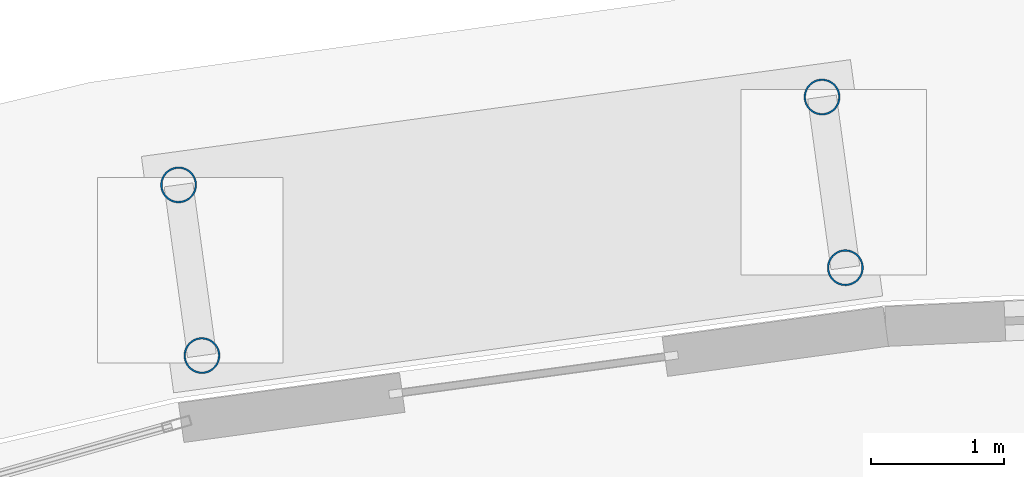
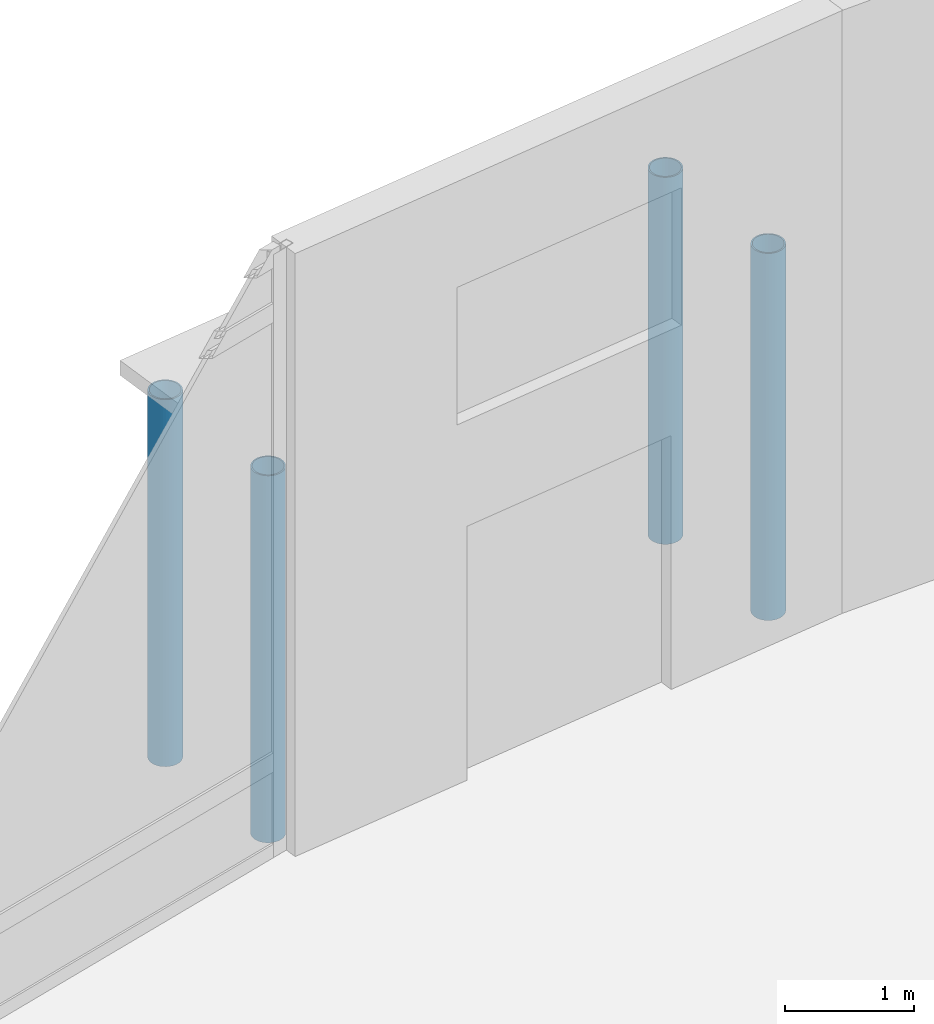
# One storey, part 6 of 40: 4 columns.
"""IFC4 building model written with IfcOpenShell, lengths in metres."""

from ifc_helpers import new_model, si_unit, direction, frame, origin, origin_2d, place, context, subcontext, project, spatial, hollow_circle, extrude, material, material_profile, profile_set, type_object, element, save


model = new_model("IFC4")

# Units and contexts
model_context = context("Model", 3, precision=1e-05, world=origin(), true_north=direction((0.0, 1.0)))
body_context = subcontext(model_context, "Body", "Model", "MODEL_VIEW")
ifc_project = project(units=[si_unit("LENGTHUNIT", "METRE"), si_unit("AREAUNIT", "SQUARE_METRE"), si_unit("VOLUMEUNIT", "CUBIC_METRE"), si_unit("PLANEANGLEUNIT", "RADIAN"), si_unit("MASSUNIT", "GRAM", prefix="KILO")], contexts=[model_context])

# Site, building, storey
site_placement = place(None, origin())
site = spatial("IfcSite", under=ifc_project, at=site_placement, CompositionType="ELEMENT")
building_placement = place(site_placement, origin())
building = spatial("IfcBuilding", under=site, at=building_placement, Name="Nuhasar Tower", CompositionType="ELEMENT")
storey_placement = place(building_placement, origin())
storey = spatial("IfcBuildingStorey", under=building, at=storey_placement, Name="L00", CompositionType="ELEMENT", Elevation=0.0)

# Columns
ifc_material = material(Name="Steel S460", Category="steel")
ifc_material_profile = material_profile(ifc_material, hollow_circle(Radius=0.136474609375, WallThickness=0.0126953125, at=origin_2d()), Name="HSS273.1X12.7")
ifc_profile_set = profile_set([ifc_material_profile], Name="Steel S460")
column_type = type_object("IfcColumnType", Name="COL-CNP-273", PredefinedType="COLUMN", material=ifc_profile_set)
for number, where, z_axis, x_axis, name in (
    (1, (33.285888671875, 55.44091796875, -0.219970703125), (0.0, 0.0, 1.0), (1.0, 0.0, 0.0), "L00 Canopy Inner Post North 1"),
    (2, (33.110107421875, 56.72900390625, -0.219970703125), (0.0, 0.0, 1.0), (1.0, 0.0, 0.0), "L00 Canopy Outer Post North 1"),
    (3, (28.430908203125, 54.778076171875, -0.219970703125), (0.0, 0.0, 1.0), (1.0, 0.0, 0.0), "L00 Canopy Inner Post North 2"),
    (4, (28.2548828125, 56.06591796875, -0.219970703125), (0.0, 0.0, 1.0), (1.0, 0.0, 0.0), "L00 Canopy Outer Post North 2"),
):
    element("IfcColumn", number, at=place(storey_placement, frame(where, z_axis=z_axis, x_axis=x_axis)), inside=storey, type_object=column_type, Name=name, PredefinedType="COLUMN", context=body_context, shape_type="SweptSolid", body=[
        extrude(hollow_circle(Radius=0.136474609375, WallThickness=0.0126953125, at=origin_2d()), origin(), (0.0, 0.0, 1.0), 3.469970703125),
    ])

save(model, "model.ifc")
